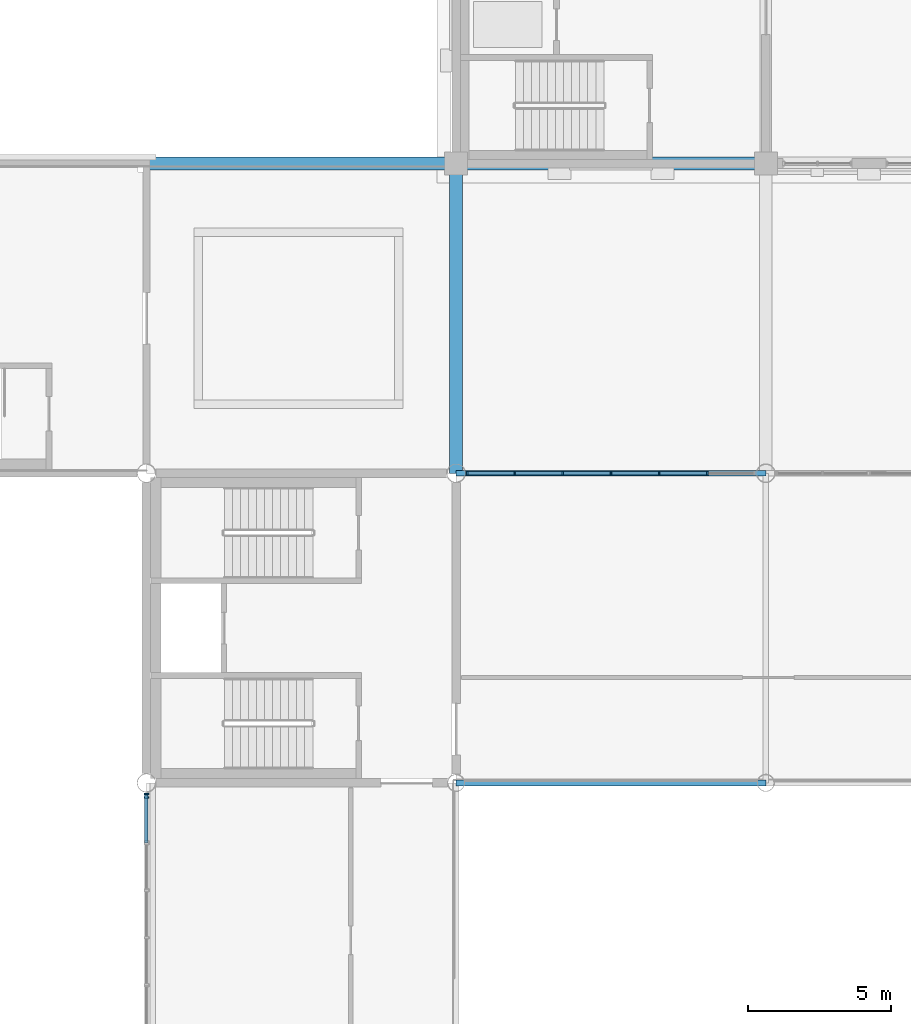
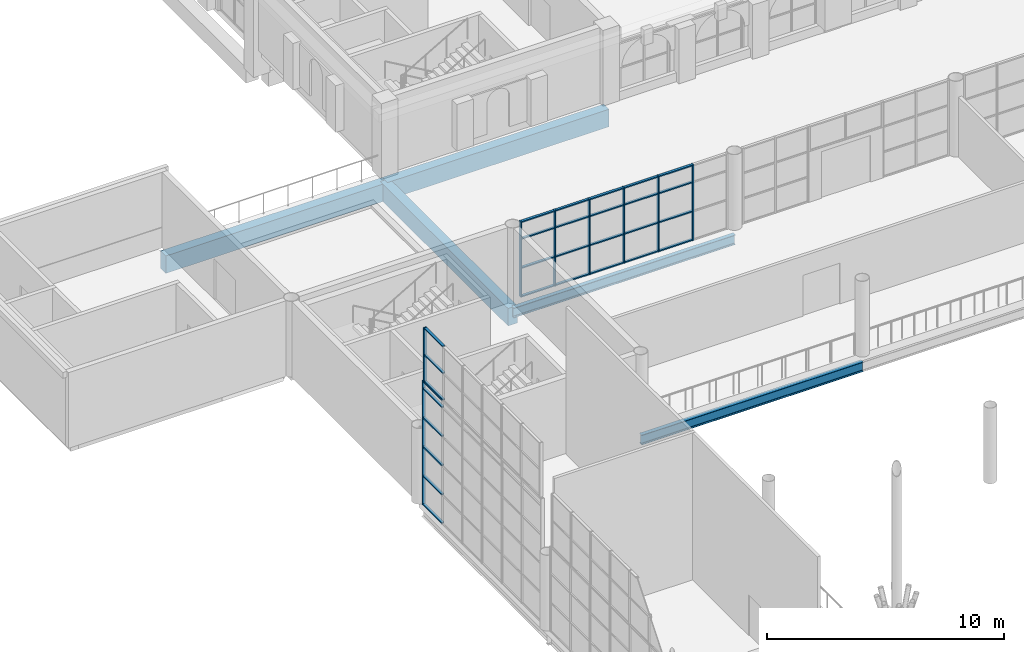
# One storey, part 23 of 95: 37 members, 5 beams, 3 elements without a shape of their own.
"""IFC4 building model written with IfcOpenShell, lengths in metres."""

from ifc_helpers import new_model, si_unit, direction, frame, origin, origin_2d, place, context, subcontext, project, spatial, rectangle, i_section, extrude, material, layer, layer_set, material_profile, profile_set, type_object, element, aggregate, save


model = new_model("IFC4")

# Units and contexts
model_context = context("Model", 3, precision=1e-05, world=origin(), true_north=direction((0.0, 1.0)))
body_context = subcontext(model_context, "Body", "Model", "MODEL_VIEW")
ifc_project = project(units=[si_unit("LENGTHUNIT", "METRE"), si_unit("AREAUNIT", "SQUARE_METRE"), si_unit("VOLUMEUNIT", "CUBIC_METRE"), si_unit("PLANEANGLEUNIT", "RADIAN"), si_unit("MASSUNIT", "GRAM", prefix="KILO")], contexts=[model_context])

# Site, building, storey
site_placement = place(None, origin())
site = spatial("IfcSite", under=ifc_project, at=site_placement, CompositionType="ELEMENT")
building_placement = place(site_placement, origin())
building = spatial("IfcBuilding", under=site, at=building_placement, Name="Magnolia Steps Interchange", CompositionType="ELEMENT")
storey_placement = place(building_placement, frame((0.0, 0.0, 4.800048828125)))
storey = spatial("IfcBuildingStorey", under=building, at=storey_placement, Name="L01", CompositionType="ELEMENT", Elevation=4.800048828125)

# Curtain wall, members
ifc_material_1 = material(Name="Powder-coated aluminium and glass", Category="aluminium")
ifc_layer_1 = layer(ifc_material_1, 0.14990234375)
ifc_layer_set_1 = layer_set([ifc_layer_1], Name="Glazed hall curtain wall")
curtain_wall_type_1 = type_object("IfcCurtainWallType", Name="Glazed hall curtain wall", PredefinedType="NOTDEFINED", material=ifc_layer_set_1)
curtain_wall_1_placement = place(storey_placement, origin())
curtain_wall_1 = element("IfcCurtainWall", 1, at=curtain_wall_1_placement, inside=storey, type_object=curtain_wall_type_1, Name="Hall glazing N2 L01", PredefinedType="NOTDEFINED")
ifc_material_2 = material(Name="White powder-coated aluminium", Category="aluminium")
ifc_material_profile_1 = material_profile(ifc_material_2, rectangle(XDim=0.06005859375, YDim=0.14990234375, at=origin_2d()), Name="Aluminium mullion 60 x 150")
ifc_profile_set_1 = profile_set([ifc_material_profile_1], Name="White powder-coated aluminium")
member_type_1 = type_object("IfcMemberType", Name="Aluminium mullion 60 x 150", PredefinedType="MULLION", material=ifc_profile_set_1)
member_1_placement = place(storey_placement, frame((64.389892578125, 85.60009765625, 0.0), z_axis=(0.0, 0.0, 1.0), x_axis=(1.0, 0.0, 0.0)))
member_1 = element("IfcMember", 2, at=member_1_placement, type_object=member_type_1, Name="CW1 mullion 1", PredefinedType="MULLION", context=body_context, shape_type="SweptSolid", body=[
    extrude(rectangle(XDim=0.06005859375, YDim=0.14990234375, at=origin_2d()), origin(), (0.0, 0.0, 1.0), 3.89990234375),
])
member_2_placement = place(storey_placement, frame((66.0400390625, 85.60009765625, 0.0), z_axis=(0.0, 0.0, 1.0), x_axis=(1.0, 0.0, 0.0)))
member_2 = element("IfcMember", 3, at=member_2_placement, type_object=member_type_1, Name="CW1 mullion 2", PredefinedType="MULLION", context=body_context, shape_type="SweptSolid", body=[
    extrude(rectangle(XDim=0.06005859375, YDim=0.14990234375, at=origin_2d()), origin(), (0.0, 0.0, 1.0), 3.89990234375),
])
member_3_placement = place(storey_placement, frame((67.719970703125, 85.60009765625, 0.0), z_axis=(0.0, 0.0, 1.0), x_axis=(1.0, 0.0, 0.0)))
member_3 = element("IfcMember", 4, at=member_3_placement, type_object=member_type_1, Name="CW1 mullion 3", PredefinedType="MULLION", context=body_context, shape_type="SweptSolid", body=[
    extrude(rectangle(XDim=0.06005859375, YDim=0.14990234375, at=origin_2d()), origin(), (0.0, 0.0, 1.0), 3.89990234375),
])
member_4_placement = place(storey_placement, frame((69.39990234375, 85.60009765625, 0.0), z_axis=(0.0, 0.0, 1.0), x_axis=(1.0, 0.0, 0.0)))
member_4 = element("IfcMember", 5, at=member_4_placement, type_object=member_type_1, Name="CW1 mullion 4", PredefinedType="MULLION", context=body_context, shape_type="SweptSolid", body=[
    extrude(rectangle(XDim=0.06005859375, YDim=0.14990234375, at=origin_2d()), origin(), (0.0, 0.0, 1.0), 3.89990234375),
])
member_5_placement = place(storey_placement, frame((71.080078125, 85.60009765625, 0.0), z_axis=(0.0, 0.0, 1.0), x_axis=(1.0, 0.0, 0.0)))
member_5 = element("IfcMember", 6, at=member_5_placement, type_object=member_type_1, Name="CW1 mullion 5", PredefinedType="MULLION", context=body_context, shape_type="SweptSolid", body=[
    extrude(rectangle(XDim=0.06005859375, YDim=0.14990234375, at=origin_2d()), origin(), (0.0, 0.0, 1.0), 3.89990234375),
])
member_6_placement = place(storey_placement, frame((72.760009765625, 85.60009765625, 0.0), z_axis=(0.0, 0.0, 1.0), x_axis=(1.0, 0.0, 0.0)))
member_6 = element("IfcMember", 7, at=member_6_placement, type_object=member_type_1, Name="CW1 mullion 6", PredefinedType="MULLION", context=body_context, shape_type="SweptSolid", body=[
    extrude(rectangle(XDim=0.06005859375, YDim=0.14990234375, at=origin_2d()), origin(), (0.0, 0.0, 1.0), 3.89990234375),
])

# Curtain wall, member
curtain_wall_2_placement = place(storey_placement, origin())
curtain_wall_2 = element("IfcCurtainWall", 8, at=curtain_wall_2_placement, inside=storey, type_object=curtain_wall_type_1, Name="Hall glazing W3 L01", PredefinedType="NOTDEFINED")
member_7_placement = place(storey_placement, frame((53.199951171875, 74.409912109375, 0.0), z_axis=(0.0, 0.0, 1.0), x_axis=(0.0, 1.0, 0.0)))
member_7 = element("IfcMember", 9, at=member_7_placement, type_object=member_type_1, Name="CW1 mullion 7", PredefinedType="MULLION", context=body_context, shape_type="SweptSolid", body=[
    extrude(rectangle(XDim=0.06005859375, YDim=0.14990234375, at=origin_2d()), origin(), (0.0, 0.0, 1.0), 6.39990234375),
])

ifc_material_3 = material(Name="Powder-coated aluminium and glass", Category="aluminium")
ifc_layer_2 = layer(ifc_material_3, 0.1201171875)
ifc_layer_set_2 = layer_set([ifc_layer_2], Name="Hall clerestory curtain wall")
curtain_wall_type_2 = type_object("IfcCurtainWallType", Name="Hall clerestory curtain wall", PredefinedType="NOTDEFINED", material=ifc_layer_set_2)
curtain_wall_3_placement = place(storey_placement, origin())
curtain_wall_3 = element("IfcCurtainWall", 10, at=curtain_wall_3_placement, inside=storey, type_object=curtain_wall_type_2, Name="Hall clerestory W3", PredefinedType="NOTDEFINED")
member_8_placement = place(storey_placement, frame((53.199951171875, 74.2900390625, 6.39990234375), z_axis=(0.0, 0.0, 1.0), x_axis=(0.0, 1.0, 0.0)))
member_8 = element("IfcMember", 11, at=member_8_placement, type_object=member_type_1, Name="CW6 mullion 7", PredefinedType="MULLION", context=body_context, shape_type="SweptSolid", body=[
    extrude(rectangle(XDim=0.06005859375, YDim=0.14990234375, at=origin_2d()), origin(), (0.0, 0.0, 1.0), 2.800048828125),
])

# Member
ifc_material_4 = material(Name="White powder-coated aluminium", Category="aluminium")
ifc_material_profile_2 = material_profile(ifc_material_4, rectangle(XDim=0.06005859375, YDim=0.1201171875, at=origin_2d()), Name="Aluminium transom 60 x 120")
ifc_profile_set_2 = profile_set([ifc_material_profile_2], Name="White powder-coated aluminium")
member_type_2 = type_object("IfcMemberType", Name="Aluminium transom 60 x 120", PredefinedType="USERDEFINED", material=ifc_profile_set_2)
member_9_placement = place(storey_placement, frame((64.419921875, 85.60009765625, 0.030029296875), z_axis=(1.0, 0.0, 0.0), x_axis=(0.0, 0.0, 1.0)))
member_9 = element("IfcMember", 12, at=member_9_placement, type_object=member_type_2, Name="CW1 transom 1.1", ObjectType="TRANSOM", PredefinedType="USERDEFINED", context=body_context, shape_type="SweptSolid", body=[
    extrude(rectangle(XDim=0.06005859375, YDim=0.1201171875, at=origin_2d()), origin(), (0.0, 0.0, 1.0), 1.590087890625),
])

member_10_placement = place(storey_placement, frame((64.419921875, 85.60009765625, 1.5), z_axis=(1.0, 0.0, 0.0), x_axis=(0.0, 0.0, 1.0)))
member_10 = element("IfcMember", 13, at=member_10_placement, type_object=member_type_2, Name="CW1 transom 1.2", ObjectType="TRANSOM", PredefinedType="USERDEFINED", context=body_context, shape_type="SweptSolid", body=[
    extrude(rectangle(XDim=0.06005859375, YDim=0.1201171875, at=origin_2d()), origin(), (0.0, 0.0, 1.0), 1.590087890625),
])

member_11_placement = place(storey_placement, frame((64.419921875, 85.60009765625, 3.0), z_axis=(1.0, 0.0, 0.0), x_axis=(0.0, 0.0, 1.0)))
member_11 = element("IfcMember", 14, at=member_11_placement, type_object=member_type_2, Name="CW1 transom 1.3", ObjectType="TRANSOM", PredefinedType="USERDEFINED", context=body_context, shape_type="SweptSolid", body=[
    extrude(rectangle(XDim=0.06005859375, YDim=0.1201171875, at=origin_2d()), origin(), (0.0, 0.0, 1.0), 1.590087890625),
])

member_12_placement = place(storey_placement, frame((64.419921875, 85.60009765625, 3.869873046875), z_axis=(1.0, 0.0, 0.0), x_axis=(0.0, 0.0, 1.0)))
member_12 = element("IfcMember", 15, at=member_12_placement, type_object=member_type_2, Name="CW1 transom 1.4", ObjectType="TRANSOM", PredefinedType="USERDEFINED", context=body_context, shape_type="SweptSolid", body=[
    extrude(rectangle(XDim=0.06005859375, YDim=0.1201171875, at=origin_2d()), origin(), (0.0, 0.0, 1.0), 1.590087890625),
])

member_13_placement = place(storey_placement, frame((66.070068359375, 85.60009765625, 0.030029296875), z_axis=(1.0, 0.0, 0.0), x_axis=(0.0, 0.0, 1.0)))
member_13 = element("IfcMember", 16, at=member_13_placement, type_object=member_type_2, Name="CW1 transom 2.1", ObjectType="TRANSOM", PredefinedType="USERDEFINED", context=body_context, shape_type="SweptSolid", body=[
    extrude(rectangle(XDim=0.06005859375, YDim=0.1201171875, at=origin_2d()), origin(), (0.0, 0.0, 1.0), 1.619873046875),
])

member_14_placement = place(storey_placement, frame((66.070068359375, 85.60009765625, 1.5), z_axis=(1.0, 0.0, 0.0), x_axis=(0.0, 0.0, 1.0)))
member_14 = element("IfcMember", 17, at=member_14_placement, type_object=member_type_2, Name="CW1 transom 2.2", ObjectType="TRANSOM", PredefinedType="USERDEFINED", context=body_context, shape_type="SweptSolid", body=[
    extrude(rectangle(XDim=0.06005859375, YDim=0.1201171875, at=origin_2d()), origin(), (0.0, 0.0, 1.0), 1.619873046875),
])

member_15_placement = place(storey_placement, frame((66.070068359375, 85.60009765625, 3.0), z_axis=(1.0, 0.0, 0.0), x_axis=(0.0, 0.0, 1.0)))
member_15 = element("IfcMember", 18, at=member_15_placement, type_object=member_type_2, Name="CW1 transom 2.3", ObjectType="TRANSOM", PredefinedType="USERDEFINED", context=body_context, shape_type="SweptSolid", body=[
    extrude(rectangle(XDim=0.06005859375, YDim=0.1201171875, at=origin_2d()), origin(), (0.0, 0.0, 1.0), 1.619873046875),
])

member_16_placement = place(storey_placement, frame((66.070068359375, 85.60009765625, 3.869873046875), z_axis=(1.0, 0.0, 0.0), x_axis=(0.0, 0.0, 1.0)))
member_16 = element("IfcMember", 19, at=member_16_placement, type_object=member_type_2, Name="CW1 transom 2.4", ObjectType="TRANSOM", PredefinedType="USERDEFINED", context=body_context, shape_type="SweptSolid", body=[
    extrude(rectangle(XDim=0.06005859375, YDim=0.1201171875, at=origin_2d()), origin(), (0.0, 0.0, 1.0), 1.619873046875),
])

member_17_placement = place(storey_placement, frame((67.75, 85.60009765625, 0.030029296875), z_axis=(1.0, 0.0, 0.0), x_axis=(0.0, 0.0, 1.0)))
member_17 = element("IfcMember", 20, at=member_17_placement, type_object=member_type_2, Name="CW1 transom 3.1", ObjectType="TRANSOM", PredefinedType="USERDEFINED", context=body_context, shape_type="SweptSolid", body=[
    extrude(rectangle(XDim=0.06005859375, YDim=0.1201171875, at=origin_2d()), origin(), (0.0, 0.0, 1.0), 1.6201171875),
])

member_18_placement = place(storey_placement, frame((67.75, 85.60009765625, 1.5), z_axis=(1.0, 0.0, 0.0), x_axis=(0.0, 0.0, 1.0)))
member_18 = element("IfcMember", 21, at=member_18_placement, type_object=member_type_2, Name="CW1 transom 3.2", ObjectType="TRANSOM", PredefinedType="USERDEFINED", context=body_context, shape_type="SweptSolid", body=[
    extrude(rectangle(XDim=0.06005859375, YDim=0.1201171875, at=origin_2d()), origin(), (0.0, 0.0, 1.0), 1.6201171875),
])

member_19_placement = place(storey_placement, frame((67.75, 85.60009765625, 3.0), z_axis=(1.0, 0.0, 0.0), x_axis=(0.0, 0.0, 1.0)))
member_19 = element("IfcMember", 22, at=member_19_placement, type_object=member_type_2, Name="CW1 transom 3.3", ObjectType="TRANSOM", PredefinedType="USERDEFINED", context=body_context, shape_type="SweptSolid", body=[
    extrude(rectangle(XDim=0.06005859375, YDim=0.1201171875, at=origin_2d()), origin(), (0.0, 0.0, 1.0), 1.6201171875),
])

member_20_placement = place(storey_placement, frame((67.75, 85.60009765625, 3.869873046875), z_axis=(1.0, 0.0, 0.0), x_axis=(0.0, 0.0, 1.0)))
member_20 = element("IfcMember", 23, at=member_20_placement, type_object=member_type_2, Name="CW1 transom 3.4", ObjectType="TRANSOM", PredefinedType="USERDEFINED", context=body_context, shape_type="SweptSolid", body=[
    extrude(rectangle(XDim=0.06005859375, YDim=0.1201171875, at=origin_2d()), origin(), (0.0, 0.0, 1.0), 1.6201171875),
])

member_21_placement = place(storey_placement, frame((69.429931640625, 85.60009765625, 0.030029296875), z_axis=(1.0, 0.0, 0.0), x_axis=(0.0, 0.0, 1.0)))
member_21 = element("IfcMember", 24, at=member_21_placement, type_object=member_type_2, Name="CW1 transom 4.1", ObjectType="TRANSOM", PredefinedType="USERDEFINED", context=body_context, shape_type="SweptSolid", body=[
    extrude(rectangle(XDim=0.06005859375, YDim=0.1201171875, at=origin_2d()), origin(), (0.0, 0.0, 1.0), 1.6201171875),
])

member_22_placement = place(storey_placement, frame((69.429931640625, 85.60009765625, 1.5), z_axis=(1.0, 0.0, 0.0), x_axis=(0.0, 0.0, 1.0)))
member_22 = element("IfcMember", 25, at=member_22_placement, type_object=member_type_2, Name="CW1 transom 4.2", ObjectType="TRANSOM", PredefinedType="USERDEFINED", context=body_context, shape_type="SweptSolid", body=[
    extrude(rectangle(XDim=0.06005859375, YDim=0.1201171875, at=origin_2d()), origin(), (0.0, 0.0, 1.0), 1.6201171875),
])

member_23_placement = place(storey_placement, frame((69.429931640625, 85.60009765625, 3.0), z_axis=(1.0, 0.0, 0.0), x_axis=(0.0, 0.0, 1.0)))
member_23 = element("IfcMember", 26, at=member_23_placement, type_object=member_type_2, Name="CW1 transom 4.3", ObjectType="TRANSOM", PredefinedType="USERDEFINED", context=body_context, shape_type="SweptSolid", body=[
    extrude(rectangle(XDim=0.06005859375, YDim=0.1201171875, at=origin_2d()), origin(), (0.0, 0.0, 1.0), 1.6201171875),
])

member_24_placement = place(storey_placement, frame((69.429931640625, 85.60009765625, 3.869873046875), z_axis=(1.0, 0.0, 0.0), x_axis=(0.0, 0.0, 1.0)))
member_24 = element("IfcMember", 27, at=member_24_placement, type_object=member_type_2, Name="CW1 transom 4.4", ObjectType="TRANSOM", PredefinedType="USERDEFINED", context=body_context, shape_type="SweptSolid", body=[
    extrude(rectangle(XDim=0.06005859375, YDim=0.1201171875, at=origin_2d()), origin(), (0.0, 0.0, 1.0), 1.6201171875),
])

member_25_placement = place(storey_placement, frame((71.110107421875, 85.60009765625, 0.030029296875), z_axis=(1.0, 0.0, 0.0), x_axis=(0.0, 0.0, 1.0)))
member_25 = element("IfcMember", 28, at=member_25_placement, type_object=member_type_2, Name="CW1 transom 5.1", ObjectType="TRANSOM", PredefinedType="USERDEFINED", context=body_context, shape_type="SweptSolid", body=[
    extrude(rectangle(XDim=0.06005859375, YDim=0.1201171875, at=origin_2d()), origin(), (0.0, 0.0, 1.0), 1.619873046875),
])

member_26_placement = place(storey_placement, frame((71.110107421875, 85.60009765625, 1.5), z_axis=(1.0, 0.0, 0.0), x_axis=(0.0, 0.0, 1.0)))
member_26 = element("IfcMember", 29, at=member_26_placement, type_object=member_type_2, Name="CW1 transom 5.2", ObjectType="TRANSOM", PredefinedType="USERDEFINED", context=body_context, shape_type="SweptSolid", body=[
    extrude(rectangle(XDim=0.06005859375, YDim=0.1201171875, at=origin_2d()), origin(), (0.0, 0.0, 1.0), 1.619873046875),
])

member_27_placement = place(storey_placement, frame((71.110107421875, 85.60009765625, 3.0), z_axis=(1.0, 0.0, 0.0), x_axis=(0.0, 0.0, 1.0)))
member_27 = element("IfcMember", 30, at=member_27_placement, type_object=member_type_2, Name="CW1 transom 5.3", ObjectType="TRANSOM", PredefinedType="USERDEFINED", context=body_context, shape_type="SweptSolid", body=[
    extrude(rectangle(XDim=0.06005859375, YDim=0.1201171875, at=origin_2d()), origin(), (0.0, 0.0, 1.0), 1.619873046875),
])

member_28_placement = place(storey_placement, frame((71.110107421875, 85.60009765625, 3.869873046875), z_axis=(1.0, 0.0, 0.0), x_axis=(0.0, 0.0, 1.0)))
member_28 = element("IfcMember", 31, at=member_28_placement, type_object=member_type_2, Name="CW1 transom 5.4", ObjectType="TRANSOM", PredefinedType="USERDEFINED", context=body_context, shape_type="SweptSolid", body=[
    extrude(rectangle(XDim=0.06005859375, YDim=0.1201171875, at=origin_2d()), origin(), (0.0, 0.0, 1.0), 1.619873046875),
])

aggregate(curtain_wall_1, [member_1, member_2, member_3, member_4, member_5, member_6, member_9, member_10, member_11, member_12, member_13, member_14, member_15, member_16, member_17, member_18, member_19, member_20, member_21, member_22, member_23, member_24, member_25, member_26, member_27, member_28])

member_29_placement = place(storey_placement, frame((53.199951171875, 72.7900390625, 0.030029296875), z_axis=(0.0, 1.0, 0.0), x_axis=(0.0, 0.0, 1.0)))
member_29 = element("IfcMember", 32, at=member_29_placement, type_object=member_type_2, Name="CW1 transom 6.1", ObjectType="TRANSOM", PredefinedType="USERDEFINED", context=body_context, shape_type="SweptSolid", body=[
    extrude(rectangle(XDim=0.06005859375, YDim=0.1201171875, at=origin_2d()), origin(), (0.0, 0.0, 1.0), 1.58984375),
])

member_30_placement = place(storey_placement, frame((53.199951171875, 72.7900390625, 1.5), z_axis=(0.0, 1.0, 0.0), x_axis=(0.0, 0.0, 1.0)))
member_30 = element("IfcMember", 33, at=member_30_placement, type_object=member_type_2, Name="CW1 transom 6.2", ObjectType="TRANSOM", PredefinedType="USERDEFINED", context=body_context, shape_type="SweptSolid", body=[
    extrude(rectangle(XDim=0.06005859375, YDim=0.1201171875, at=origin_2d()), origin(), (0.0, 0.0, 1.0), 1.58984375),
])

member_31_placement = place(storey_placement, frame((53.199951171875, 72.7900390625, 3.0), z_axis=(0.0, 1.0, 0.0), x_axis=(0.0, 0.0, 1.0)))
member_31 = element("IfcMember", 34, at=member_31_placement, type_object=member_type_2, Name="CW1 transom 6.3", ObjectType="TRANSOM", PredefinedType="USERDEFINED", context=body_context, shape_type="SweptSolid", body=[
    extrude(rectangle(XDim=0.06005859375, YDim=0.1201171875, at=origin_2d()), origin(), (0.0, 0.0, 1.0), 1.58984375),
])

member_32_placement = place(storey_placement, frame((53.199951171875, 72.7900390625, 4.5), z_axis=(0.0, 1.0, 0.0), x_axis=(0.0, 0.0, 1.0)))
member_32 = element("IfcMember", 35, at=member_32_placement, type_object=member_type_2, Name="CW1 transom 6.4", ObjectType="TRANSOM", PredefinedType="USERDEFINED", context=body_context, shape_type="SweptSolid", body=[
    extrude(rectangle(XDim=0.06005859375, YDim=0.1201171875, at=origin_2d()), origin(), (0.0, 0.0, 1.0), 1.58984375),
])

member_33_placement = place(storey_placement, frame((53.199951171875, 72.7900390625, 6.0), z_axis=(0.0, 1.0, 0.0), x_axis=(0.0, 0.0, 1.0)))
member_33 = element("IfcMember", 36, at=member_33_placement, type_object=member_type_2, Name="CW1 transom 6.5", ObjectType="TRANSOM", PredefinedType="USERDEFINED", context=body_context, shape_type="SweptSolid", body=[
    extrude(rectangle(XDim=0.06005859375, YDim=0.1201171875, at=origin_2d()), origin(), (0.0, 0.0, 1.0), 1.58984375),
])

member_34_placement = place(storey_placement, frame((53.199951171875, 72.7900390625, 6.369873046875), z_axis=(0.0, 1.0, 0.0), x_axis=(0.0, 0.0, 1.0)))
member_34 = element("IfcMember", 37, at=member_34_placement, type_object=member_type_2, Name="CW1 transom 6.6", ObjectType="TRANSOM", PredefinedType="USERDEFINED", context=body_context, shape_type="SweptSolid", body=[
    extrude(rectangle(XDim=0.06005859375, YDim=0.1201171875, at=origin_2d()), origin(), (0.0, 0.0, 1.0), 1.58984375),
])

aggregate(curtain_wall_2, [member_7, member_29, member_30, member_31, member_32, member_33, member_34])

member_35_placement = place(storey_placement, frame((53.199951171875, 72.7099609375, 6.429931640625), z_axis=(0.0, 1.0, 0.0), x_axis=(0.0, 0.0, 1.0)))
member_35 = element("IfcMember", 38, at=member_35_placement, type_object=member_type_2, Name="CW6 transom 6.1", ObjectType="TRANSOM", PredefinedType="USERDEFINED", context=body_context, shape_type="SweptSolid", body=[
    extrude(rectangle(XDim=0.06005859375, YDim=0.1201171875, at=origin_2d()), origin(), (0.0, 0.0, 1.0), 1.550048828125),
])

member_36_placement = place(storey_placement, frame((53.199951171875, 72.7099609375, 7.800048828125), z_axis=(0.0, 1.0, 0.0), x_axis=(0.0, 0.0, 1.0)))
member_36 = element("IfcMember", 39, at=member_36_placement, type_object=member_type_2, Name="CW6 transom 6.2", ObjectType="TRANSOM", PredefinedType="USERDEFINED", context=body_context, shape_type="SweptSolid", body=[
    extrude(rectangle(XDim=0.06005859375, YDim=0.1201171875, at=origin_2d()), origin(), (0.0, 0.0, 1.0), 1.550048828125),
])

member_37_placement = place(storey_placement, frame((53.199951171875, 72.7099609375, 9.169921875), z_axis=(0.0, 1.0, 0.0), x_axis=(0.0, 0.0, 1.0)))
member_37 = element("IfcMember", 40, at=member_37_placement, type_object=member_type_2, Name="CW6 transom 6.3", ObjectType="TRANSOM", PredefinedType="USERDEFINED", context=body_context, shape_type="SweptSolid", body=[
    extrude(rectangle(XDim=0.06005859375, YDim=0.1201171875, at=origin_2d()), origin(), (0.0, 0.0, 1.0), 1.550048828125),
])

aggregate(curtain_wall_3, [member_8, member_35, member_36, member_37])

# Beams
ifc_material_5 = material(Name="Concrete C40", Category="concrete")
ifc_material_profile_3 = material_profile(ifc_material_5, rectangle(XDim=0.449951171875, YDim=0.89990234375, at=origin_2d()), Name="RC450x900")
ifc_profile_set_3 = profile_set([ifc_material_profile_3], Name="Concrete C40")
beam_type_1 = type_object("IfcBeamType", Name="RC beam 450x900", PredefinedType="BEAM", material=ifc_profile_set_3)
for number, where, z_axis, x_axis, name in (
    (41, (53.199951171875, 96.39990234375, -0.85009765625), (1.0, 0.0, 0.0), (0.0, 1.0, 0.0), "Beam L01 I 5-6"),
    (42, (64.0, 96.39990234375, -0.85009765625), (1.0, 0.0, 0.0), (0.0, 1.0, 0.0), "Beam L01 I 6-7"),
):
    element("IfcBeam", number, at=place(storey_placement, frame(where, z_axis=z_axis, x_axis=x_axis)), inside=storey, type_object=beam_type_1, Name=name, PredefinedType="BEAM", context=body_context, shape_type="SweptSolid", body=[
        extrude(rectangle(XDim=0.449951171875, YDim=0.89990234375, at=origin_2d()), origin(), (0.0, 0.0, 1.0), 10.800048828125),
    ])
beam_placement = place(storey_placement, frame((64.0, 85.60009765625, -0.85009765625), z_axis=(0.0, 1.0, 0.0), x_axis=(-1.0, 0.0, 0.0)))
element("IfcBeam", 43, at=beam_placement, inside=storey, type_object=beam_type_1, Name="Beam L01 6 H-I", PredefinedType="BEAM", context=body_context, shape_type="SweptSolid", body=[
    extrude(rectangle(XDim=0.449951171875, YDim=0.89990234375, at=origin_2d()), origin(), (0.0, 0.0, 1.0), 10.7998046875),
])
ifc_material_6 = material(Name="Steel Q355B", Category="steel")
ifc_material_profile_4 = material_profile(ifc_material_6, i_section(OverallWidth=0.199951171875, OverallDepth=0.5, WebThickness=0.010009765625, FlangeThickness=0.01611328125, FilletRadius=0.02001953125, at=origin_2d()), Name="HN500x200")
ifc_profile_set_4 = profile_set([ifc_material_profile_4], Name="Steel Q355B")
beam_type_2 = type_object("IfcBeamType", Name="Steel composite beam HN500x200", PredefinedType="BEAM", material=ifc_profile_set_4)
for number, where, z_axis, x_axis, name in (
    (44, (64.0, 74.800048828125, -0.650146484375), (1.0, 0.0, 0.0), (0.0, 1.0, 0.0), "Beam L01 G 6-7"),
    (45, (64.0, 85.60009765625, -0.650146484375), (1.0, 0.0, 0.0), (0.0, 1.0, 0.0), "Beam L01 H 6-7"),
):
    element("IfcBeam", number, at=place(storey_placement, frame(where, z_axis=z_axis, x_axis=x_axis)), inside=storey, type_object=beam_type_2, Name=name, PredefinedType="BEAM", context=body_context, shape_type="SweptSolid", body=[
        extrude(i_section(OverallWidth=0.199951171875, OverallDepth=0.5, WebThickness=0.010009765625, FlangeThickness=0.01611328125, FilletRadius=0.02001953125, at=origin_2d()), origin(), (0.0, 0.0, 1.0), 10.800048828125),
    ])

save(model, "model.ifc")
